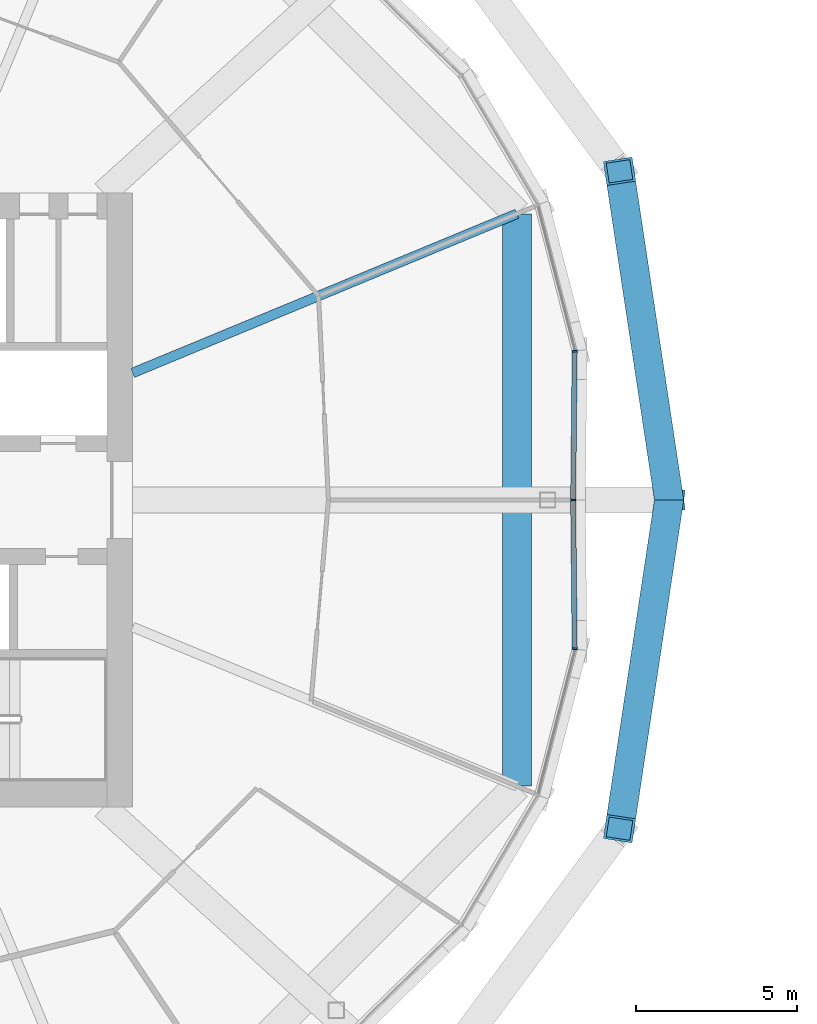
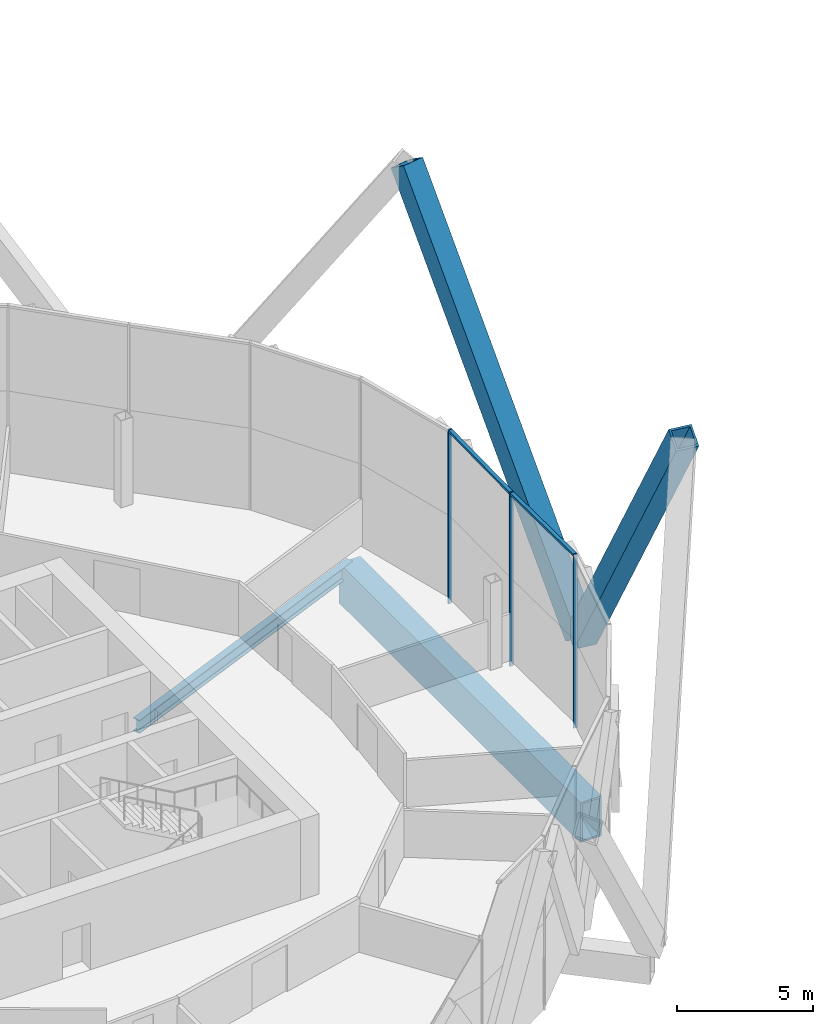
# One storey, part 7 of 28: 7 members, 2 beams, 2 elements without a shape of their own.
"""IFC4 building model written with IfcOpenShell, lengths in metres."""

import ifcopenshell
import ifcopenshell.guid

model = None  # the IFC model being written
_history = None  # IfcOwnerHistory: only IFC2X3 demands one
_inside = {}  # id of a spatial element -> (the spatial element, [elements in it])
_under = {}  # id of a project, library or spatial element -> (it, [spatial elements below it])
_declared = {}  # id of a project -> (the project, [libraries it declares])
_typed = {}  # id of a type object -> (the type object, [elements of that type])
_made_of = {}  # id of a material, layer set ... -> (it, [elements and type objects made of it])


def new_model(schema):
    """Start an empty IFC model of exactly this schema.

    Asked for "IFC4X3", IfcOpenShell would pick the latest addendum, in which some entities
    have other attributes; the version numbers below select the first issue.
    IFC2X3 requires an IfcOwnerHistory on every rooted entity: one is made here for all.
    """
    global model, _history
    if schema == "IFC4X3":
        model = ifcopenshell.file(schema_version=(4, 3, 0, 0))
    else:
        model = ifcopenshell.file(schema=schema)
    _inside.clear()
    _under.clear()
    _declared.clear()
    _typed.clear()
    _made_of.clear()
    _history = None
    if model.schema == "IFC2X3":
        org = make("IfcOrganization", Name="unknown")
        user = make(
            "IfcPersonAndOrganization",
            ThePerson=make("IfcPerson", FamilyName="unknown"),
            TheOrganization=org,
        )
        app = make(
            "IfcApplication",
            ApplicationDeveloper=org,
            Version="unknown",
            ApplicationFullName="unknown",
            ApplicationIdentifier="unknown",
        )
        _history = make(
            "IfcOwnerHistory",
            OwningUser=user,
            OwningApplication=app,
            ChangeAction="ADDED",
            CreationDate=0,
        )
    return model


def make(cls, **values):
    """One entity of the class cls with the attributes given. An attribute that is None is left unset."""
    return model.create_entity(
        cls, **{name: value for name, value in values.items() if value is not None}
    )


def rooted(cls, **values):
    """An entity with a GlobalId (a new one), such as an element, a storey or a relation."""
    return make(cls, GlobalId=ifcopenshell.guid.new(), OwnerHistory=_history, **values)


def si_unit(unit_type, name, prefix=None):
    """IfcSIUnit, for example si_unit("LENGTHUNIT", "METRE", prefix="MILLI")."""
    return make("IfcSIUnit", UnitType=unit_type, Prefix=prefix, Name=name)


def assignment(units):
    """IfcUnitAssignment: the units of a project."""
    return None if units is None else make("IfcUnitAssignment", Units=units)


def point(xyz):
    """IfcCartesianPoint."""
    return None if xyz is None else make("IfcCartesianPoint", Coordinates=xyz)


def direction(xyz):
    """IfcDirection."""
    return None if xyz is None else make("IfcDirection", DirectionRatios=xyz)


def frame(location, z_axis=None, x_axis=None):
    """IfcAxis2Placement3D, a coordinate frame: its origin and axes. An axis left out is left unset."""
    return make(
        "IfcAxis2Placement3D",
        Location=point(location),
        Axis=direction(z_axis),
        RefDirection=direction(x_axis),
    )


def frame_2d(location, x_axis=None):
    """IfcAxis2Placement2D, a coordinate frame in the plane: its origin and x axis."""
    return make(
        "IfcAxis2Placement2D", Location=point(location), RefDirection=direction(x_axis)
    )


def origin():
    """The frame at (0, 0, 0) with its axes left unset."""
    return frame((0.0, 0.0, 0.0))


def origin_2d():
    """The frame at (0, 0) in the plane with its x axis left unset."""
    return frame_2d((0.0, 0.0))


def place(relative_to, where):
    """IfcLocalPlacement: puts the frame where relative to a parent placement (None: the world)."""
    return make(
        "IfcLocalPlacement", PlacementRelTo=relative_to, RelativePlacement=where
    )


def context(
    kind, dimensions, precision=None, world=None, true_north=None, identifier=None
):
    """IfcGeometricRepresentationContext, for example the 3D "Model" context."""
    return make(
        "IfcGeometricRepresentationContext",
        ContextIdentifier=identifier,
        ContextType=kind,
        CoordinateSpaceDimension=dimensions,
        Precision=precision,
        WorldCoordinateSystem=world,
        TrueNorth=true_north,
    )


def subcontext(parent, identifier, kind, view, scale=None):
    """IfcGeometricRepresentationSubContext, for example "Body" below "Model"."""
    return make(
        "IfcGeometricRepresentationSubContext",
        ContextIdentifier=identifier,
        ContextType=kind,
        ParentContext=parent,
        TargetScale=scale,
        TargetView=view,
    )


def project(units=None, contexts=None):
    """IfcProject with its units and contexts."""
    return rooted(
        "IfcProject",
        Name="project",
        RepresentationContexts=contexts,
        UnitsInContext=assignment(units),
    )


def spatial(cls, under=None, at=None, **own):
    """A site, building, storey or space (cls), placed at a placement, below another one or the project."""
    s = rooted(cls, ObjectPlacement=at, **own)
    if under is not None:
        _under.setdefault(under.id(), (under, []))[1].append(s)
    return s


def profile(cls, at=None, kind="AREA", **sizes):
    """A parametric profile (cls). Its sizes go by their IFC names, for example OverallWidth=200.0."""
    return make(cls, ProfileType=kind, Position=at, **sizes)


def rectangle(**sizes):
    """IfcRectangleProfileDef."""
    return profile("IfcRectangleProfileDef", **sizes)


def hollow_rectangle(**sizes):
    """IfcRectangleHollowProfileDef."""
    return profile("IfcRectangleHollowProfileDef", **sizes)


def i_section(**sizes):
    """IfcIShapeProfileDef."""
    return profile("IfcIShapeProfileDef", **sizes)


def extrude(swept, where, along, depth):
    """IfcExtrudedAreaSolid: the profile swept, set in the frame where, extruded along a direction by depth."""
    return make(
        "IfcExtrudedAreaSolid",
        SweptArea=swept,
        Position=where,
        ExtrudedDirection=direction(along),
        Depth=depth,
    )


def shape(context_of_items, identifier, shape_type, items):
    """IfcShapeRepresentation: the items that make up one representation, for example the "Body"."""
    return make(
        "IfcShapeRepresentation",
        ContextOfItems=context_of_items,
        RepresentationIdentifier=identifier,
        RepresentationType=shape_type,
        Items=items,
    )


def material(Name=None, Category=None):
    """IfcMaterial."""
    return make("IfcMaterial", Name=Name, Category=Category)


def material_profile(
    of_material, cross_section, Name=None, Category=None, Priority=None
):
    """IfcMaterialProfile: a cross section and its material."""
    return make(
        "IfcMaterialProfile",
        Name=Name,
        Material=of_material,
        Profile=cross_section,
        Priority=Priority,
        Category=Category,
    )


def profile_set(profiles, Name=None, composite=None):
    """IfcMaterialProfileSet."""
    return make(
        "IfcMaterialProfileSet",
        Name=Name,
        MaterialProfiles=profiles,
        CompositeProfile=composite,
    )


def made_of(thing, what):
    """Note that an element or type object is made of a material, layer set ...; save() writes the relation."""
    if what is not None:
        _made_of.setdefault(what.id(), (what, []))[1].append(thing)
    return thing


def type_object(cls, material=None, **own):
    """A type object (cls), such as IfcWallType, which elements share."""
    return made_of(rooted(cls, **own), material)


def element(
    cls,
    number,
    at=None,
    inside=None,
    cuts=None,
    type_object=None,
    material=None,
    context=None,
    identifier="Body",
    shape_type=None,
    held_by="IfcProductDefinitionShape",
    body=None,
    shapes=None,
    **own,
):
    """One element of the class cls, such as IfcWall. Its Tag is "e" and its number.

    at: its placement. inside: the storey or other place that contains it. cuts: it is an
    opening in that element (IfcRelVoidsElement). A single representation is given by context,
    identifier, shape_type and body (its items); several are given by shapes. held_by: the class
    of the entity that holds the representations. save() writes the other relations.
    """
    e = rooted(cls, Tag="e%d" % number, ObjectPlacement=at, **own)
    if body is not None:
        shapes = [shape(context, identifier, shape_type, body)]
    if shapes is not None:
        e.Representation = make(held_by, Representations=shapes)
    if inside is not None:
        _inside.setdefault(inside.id(), (inside, []))[1].append(e)
    if cuts is not None:
        rooted(
            "IfcRelVoidsElement", RelatingBuildingElement=cuts, RelatedOpeningElement=e
        )
    if type_object is not None:
        _typed.setdefault(type_object.id(), (type_object, []))[1].append(e)
    return made_of(e, material)


def aggregate(whole, parts):
    """IfcRelAggregates: a whole, such as a stair, and the parts it consists of."""
    return rooted("IfcRelAggregates", RelatingObject=whole, RelatedObjects=parts)


def save(model, path):
    """Write the relations noted so far, then the file.

    IfcRelAggregates (storeys below a building ...), IfcRelContainedInSpatialStructure (elements
    in a storey), IfcRelDefinesByType, IfcRelAssociatesMaterial and IfcRelDeclares: one each for
    every whole, place, type object, material and project.
    """
    for whole, parts in _under.values():
        aggregate(whole, parts)
    for where, things in _inside.values():
        rooted(
            "IfcRelContainedInSpatialStructure",
            RelatedElements=things,
            RelatingStructure=where,
        )
    for kind, things in _typed.values():
        rooted("IfcRelDefinesByType", RelatedObjects=things, RelatingType=kind)
    for what, things in _made_of.values():
        rooted("IfcRelAssociatesMaterial", RelatedObjects=things, RelatingMaterial=what)
    for by, libraries in _declared.values():
        rooted("IfcRelDeclares", RelatingContext=by, RelatedDefinitions=libraries)
    model.write(path)


model = new_model("IFC4")

# Units and contexts
model_context = context("Model", 3, precision=1e-05, world=origin(), true_north=direction((0.0, 1.0)))
body_context = subcontext(model_context, "Body", "Model", "MODEL_VIEW")
ifc_project = project(units=[si_unit("LENGTHUNIT", "METRE"), si_unit("AREAUNIT", "SQUARE_METRE"), si_unit("VOLUMEUNIT", "CUBIC_METRE"), si_unit("PLANEANGLEUNIT", "RADIAN"), si_unit("MASSUNIT", "GRAM", prefix="KILO")], contexts=[model_context])

# Site, building, storey
site_placement = place(None, origin())
site = spatial("IfcSite", under=ifc_project, at=site_placement, CompositionType="ELEMENT")
building_placement = place(site_placement, origin())
building = spatial("IfcBuilding", under=site, at=building_placement, Name="Ogive Gate Towers", CompositionType="ELEMENT")
storey_placement = place(building_placement, frame((0.0, 0.0, 115.199951171875)))
storey = spatial("IfcBuildingStorey", under=building, at=storey_placement, Name="L27", CompositionType="ELEMENT", Elevation=115.199951171875)

# Members
ifc_material_1 = material(Name="Steel SM460", Category="steel")
ifc_material_profile_1 = material_profile(ifc_material_1, hollow_rectangle(XDim=0.89990234375, YDim=0.89990234375, WallThickness=0.080078125, at=origin_2d()), Name="BX 900x900x80")
ifc_profile_set_1 = profile_set([ifc_material_profile_1], Name="Steel SM460")
member_type_1 = type_object("IfcMemberType", Name="Diagrid diagonal BX 900x900x80", PredefinedType="BRACE", material=ifc_profile_set_1)
for number, where, z_axis, x_axis, name in (
    (1, (-9.889892578125, 0.0, 0.0), (-0.082121961007, -0.544627829519, 0.834647536889), (0.988822121876, -0.149100004323, 0.0), "T1/L27/SDG001"),
    (2, (-9.889892578125, 0.0, 0.0), (-0.082121961007, 0.544627829519, 0.834647536889), (-0.988822121876, -0.149100004323, 0.0), "T1/L27/SDG002"),
):
    element("IfcMember", number, at=place(storey_placement, frame(where, z_axis=z_axis, x_axis=x_axis)), inside=storey, type_object=member_type_1, Name=name, PredefinedType="BRACE", context=body_context, shape_type="SweptSolid", body=[
        extrude(hollow_rectangle(XDim=0.89990234375, YDim=0.89990234375, WallThickness=0.080078125, at=origin_2d()), origin(), (0.0, 0.0, 1.0), 18.690673828125),
    ])

# Beams
ifc_material_profile_2 = material_profile(ifc_material_1, hollow_rectangle(XDim=0.89990234375, YDim=1.800048828125, WallThickness=0.080078125, at=origin_2d()), Name="BX 1800x900x80")
ifc_profile_set_2 = profile_set([ifc_material_profile_2], Name="Steel SM460")
beam_type_1 = type_object("IfcBeamType", Name="Edge girder BX 1800x900x80", PredefinedType="BEAM", material=ifc_profile_set_2)
beam_1_placement = place(storey_placement, frame((-14.60302734375, -8.863037109375, -1.199951171875), z_axis=(0.0, 1.0, 0.0), x_axis=(-1.0, 0.0, 0.0)))
element("IfcBeam", 3, at=beam_1_placement, inside=storey, type_object=beam_type_1, Name="T1/L27/SBM020", PredefinedType="BEAM", context=body_context, shape_type="SweptSolid", body=[
    extrude(hollow_rectangle(XDim=0.89990234375, YDim=1.800048828125, WallThickness=0.080078125, at=origin_2d()), origin(), (0.0, 0.0, 1.0), 17.72607421875),
])
ifc_material_2 = material(Name="Steel SM355", Category="steel")
ifc_material_profile_3 = material_profile(ifc_material_2, i_section(OverallWidth=0.300048828125, OverallDepth=0.590087890625, WebThickness=0.012939453125, FlangeThickness=0.02490234375, FilletRadius=0.027099609375, at=origin_2d()), Name="HE 600 A")
ifc_profile_set_3 = profile_set([ifc_material_profile_3], Name="Steel SM355")
beam_type_2 = type_object("IfcBeamType", Name="Radial floor beam HE 600 A", PredefinedType="BEAM", material=ifc_profile_set_3)
beam_2_placement = place(storey_placement, frame((-26.5, 3.93505859375, -0.594970703125), z_axis=(0.923877031545, 0.382689470177, 0.0), x_axis=(-0.382689470177, 0.923877031545, 0.0)))
element("IfcBeam", 4, at=beam_2_placement, inside=storey, type_object=beam_type_2, Name="T1/L27/SBM009", PredefinedType="BEAM", context=body_context, shape_type="SweptSolid", body=[
    extrude(i_section(OverallWidth=0.300048828125, OverallDepth=0.590087890625, WebThickness=0.012939453125, FlangeThickness=0.02490234375, FilletRadius=0.027099609375, at=origin_2d()), origin(), (0.0, 0.0, 1.0), 12.877197265625),
])

# Curtain wall, members
ifc_material_3 = material(Name="Pale metal aluminium", Category="aluminium")
curtain_wall_type = type_object("IfcCurtainWallType", Name="Tower unitised wall, low zone", PredefinedType="NOTDEFINED", material=ifc_material_3)
curtain_wall_1_placement = place(storey_placement, origin())
curtain_wall_1 = element("IfcCurtainWall", 5, at=curtain_wall_1_placement, inside=storey, type_object=curtain_wall_type, Name="CW1 T1 ECW01", PredefinedType="NOTDEFINED")
ifc_material_profile_4 = material_profile(ifc_material_3, rectangle(XDim=0.159912109375, YDim=0.06005859375, at=origin_2d()), Name="60 x 160 aluminium box")
ifc_profile_set_4 = profile_set([ifc_material_profile_4], Name="Pale metal aluminium")
member_type_2 = type_object("IfcMemberType", Name="Tower unitised wall, low zone mullion 60 x 160", PredefinedType="MULLION", material=ifc_profile_set_4)
member_1_placement = place(storey_placement, frame((-12.860107421875, 0.000244140625, -0.300048828125), z_axis=(0.0, 0.0, 1.0), x_axis=(0.999947161375, -0.010279808233, 0.0)))
member_1 = element("IfcMember", 6, at=member_1_placement, type_object=member_type_2, Name="CW1 mullion", PredefinedType="MULLION", context=body_context, shape_type="SweptSolid", body=[
    extrude(rectangle(XDim=0.159912109375, YDim=0.06005859375, at=origin_2d()), origin(), (0.0, 0.0, 1.0), 7.800048828125),
])
member_2_placement = place(storey_placement, frame((-12.8125, 4.606201171875, -0.300048828125), z_axis=(0.0, 0.0, 1.0), x_axis=(0.992727957326, 0.120379411626, 0.0)))
member_2 = element("IfcMember", 7, at=member_2_placement, type_object=member_type_2, Name="CW1 mullion", PredefinedType="MULLION", context=body_context, shape_type="SweptSolid", body=[
    extrude(rectangle(XDim=0.159912109375, YDim=0.06005859375, at=origin_2d()), origin(), (0.0, 0.0, 1.0), 7.800048828125),
])

# Curtain wall, member
curtain_wall_2_placement = place(storey_placement, origin())
curtain_wall_2 = element("IfcCurtainWall", 8, at=curtain_wall_2_placement, inside=storey, type_object=curtain_wall_type, Name="CW1 T1 ECW08", PredefinedType="NOTDEFINED")
member_3_placement = place(storey_placement, frame((-12.8125, -4.606201171875, -0.300048828125), z_axis=(0.0, 0.0, 1.0), x_axis=(0.992727957326, -0.120379411626, 0.0)))
member_3 = element("IfcMember", 9, at=member_3_placement, type_object=member_type_2, Name="CW1 mullion", PredefinedType="MULLION", context=body_context, shape_type="SweptSolid", body=[
    extrude(rectangle(XDim=0.159912109375, YDim=0.06005859375, at=origin_2d()), origin(), (0.0, 0.0, 1.0), 7.800048828125),
])

# Member
ifc_material_profile_5 = material_profile(ifc_material_3, rectangle(XDim=0.159912109375, YDim=0.10009765625, at=origin_2d()), Name="100 x 160 aluminium box")
ifc_profile_set_5 = profile_set([ifc_material_profile_5], Name="Pale metal aluminium")
member_type_3 = type_object("IfcMemberType", Name="Tower unitised wall, low zone transom 100 x 160", PredefinedType="USERDEFINED", material=ifc_profile_set_5)
member_4_placement = place(storey_placement, frame((-12.859619140625, 0.0302734375, 7.449951171875), z_axis=(0.010251742504, 0.999947449507, 0.0), x_axis=(-0.999947449507, 0.010251742504, 0.0)))
member_4 = element("IfcMember", 10, at=member_4_placement, type_object=member_type_3, Name="CW1 transom", ObjectType="TRANSOM", PredefinedType="USERDEFINED", context=body_context, shape_type="SweptSolid", body=[
    extrude(rectangle(XDim=0.159912109375, YDim=0.10009765625, at=origin_2d()), origin(), (0.0, 0.0, 1.0), 4.548583984375),
])

aggregate(curtain_wall_1, [member_1, member_2, member_4])

member_5_placement = place(storey_placement, frame((-12.81298828125, -4.57861328125, 7.449951171875), z_axis=(-0.010251742504, 0.999947449507, 0.0), x_axis=(-0.999947449507, -0.010251742504, 0.0)))
member_5 = element("IfcMember", 11, at=member_5_placement, type_object=member_type_3, Name="CW1 transom", ObjectType="TRANSOM", PredefinedType="USERDEFINED", context=body_context, shape_type="SweptSolid", body=[
    extrude(rectangle(XDim=0.159912109375, YDim=0.10009765625, at=origin_2d()), origin(), (0.0, 0.0, 1.0), 4.548583984375),
])

aggregate(curtain_wall_2, [member_3, member_5])

save(model, "model.ifc")
